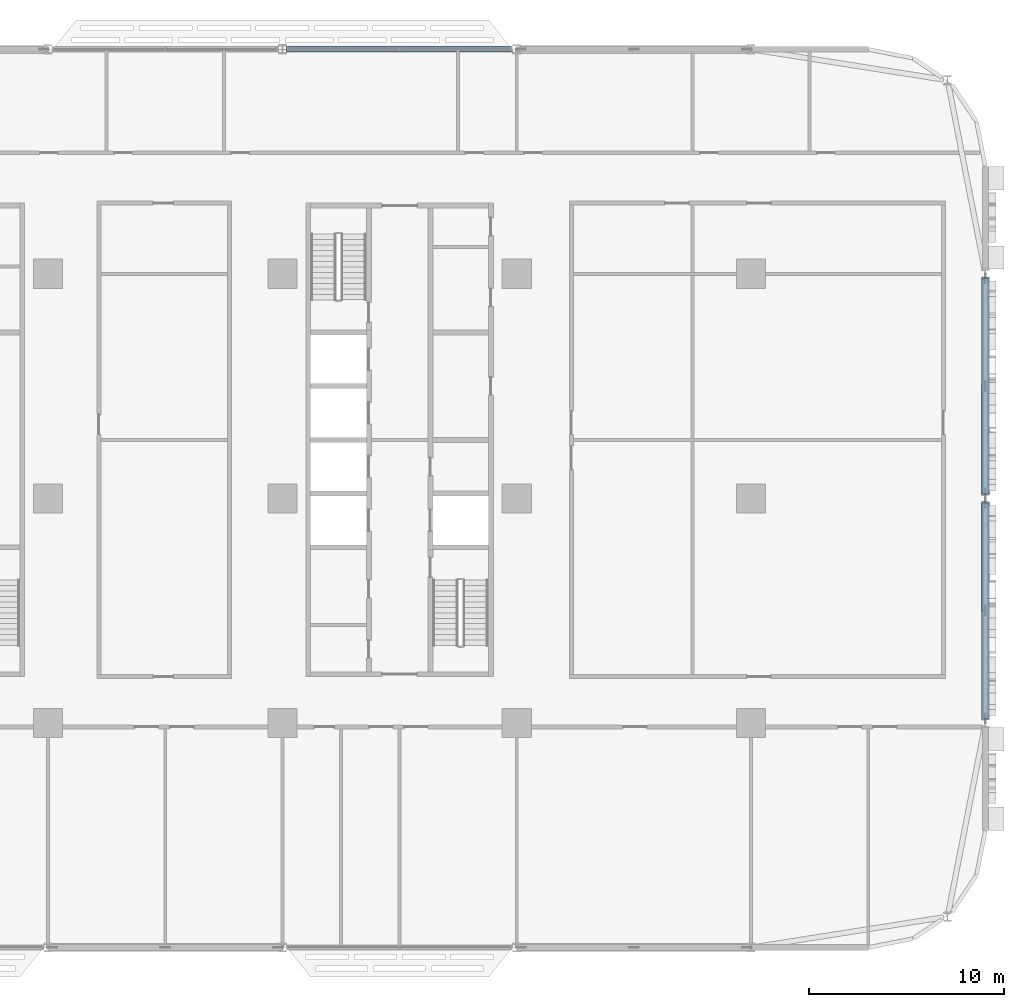
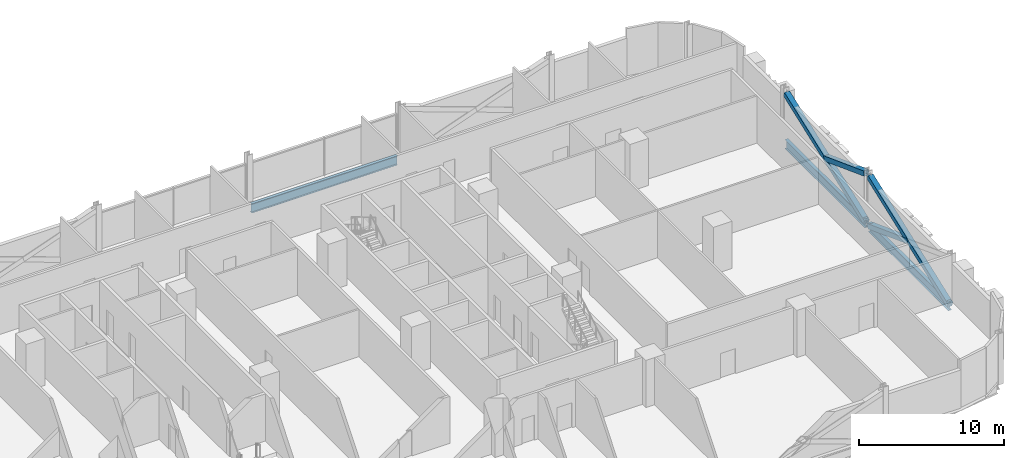
# One storey, part 9 of 30: 4 members, 3 beams.
"""IFC4 building model written with IfcOpenShell, lengths in metres."""

import ifcopenshell
import ifcopenshell.guid

model = None  # the IFC model being written
_history = None  # IfcOwnerHistory: only IFC2X3 demands one
_inside = {}  # id of a spatial element -> (the spatial element, [elements in it])
_under = {}  # id of a project, library or spatial element -> (it, [spatial elements below it])
_declared = {}  # id of a project -> (the project, [libraries it declares])
_typed = {}  # id of a type object -> (the type object, [elements of that type])
_made_of = {}  # id of a material, layer set ... -> (it, [elements and type objects made of it])


def new_model(schema):
    """Start an empty IFC model of exactly this schema.

    Asked for "IFC4X3", IfcOpenShell would pick the latest addendum, in which some entities
    have other attributes; the version numbers below select the first issue.
    IFC2X3 requires an IfcOwnerHistory on every rooted entity: one is made here for all.
    """
    global model, _history
    if schema == "IFC4X3":
        model = ifcopenshell.file(schema_version=(4, 3, 0, 0))
    else:
        model = ifcopenshell.file(schema=schema)
    _inside.clear()
    _under.clear()
    _declared.clear()
    _typed.clear()
    _made_of.clear()
    _history = None
    if model.schema == "IFC2X3":
        org = make("IfcOrganization", Name="unknown")
        user = make(
            "IfcPersonAndOrganization",
            ThePerson=make("IfcPerson", FamilyName="unknown"),
            TheOrganization=org,
        )
        app = make(
            "IfcApplication",
            ApplicationDeveloper=org,
            Version="unknown",
            ApplicationFullName="unknown",
            ApplicationIdentifier="unknown",
        )
        _history = make(
            "IfcOwnerHistory",
            OwningUser=user,
            OwningApplication=app,
            ChangeAction="ADDED",
            CreationDate=0,
        )
    return model


def make(cls, **values):
    """One entity of the class cls with the attributes given. An attribute that is None is left unset."""
    return model.create_entity(
        cls, **{name: value for name, value in values.items() if value is not None}
    )


def rooted(cls, **values):
    """An entity with a GlobalId (a new one), such as an element, a storey or a relation."""
    return make(cls, GlobalId=ifcopenshell.guid.new(), OwnerHistory=_history, **values)


def si_unit(unit_type, name, prefix=None):
    """IfcSIUnit, for example si_unit("LENGTHUNIT", "METRE", prefix="MILLI")."""
    return make("IfcSIUnit", UnitType=unit_type, Prefix=prefix, Name=name)


def assignment(units):
    """IfcUnitAssignment: the units of a project."""
    return None if units is None else make("IfcUnitAssignment", Units=units)


def point(xyz):
    """IfcCartesianPoint."""
    return None if xyz is None else make("IfcCartesianPoint", Coordinates=xyz)


def direction(xyz):
    """IfcDirection."""
    return None if xyz is None else make("IfcDirection", DirectionRatios=xyz)


def frame(location, z_axis=None, x_axis=None):
    """IfcAxis2Placement3D, a coordinate frame: its origin and axes. An axis left out is left unset."""
    return make(
        "IfcAxis2Placement3D",
        Location=point(location),
        Axis=direction(z_axis),
        RefDirection=direction(x_axis),
    )


def frame_2d(location, x_axis=None):
    """IfcAxis2Placement2D, a coordinate frame in the plane: its origin and x axis."""
    return make(
        "IfcAxis2Placement2D", Location=point(location), RefDirection=direction(x_axis)
    )


def origin():
    """The frame at (0, 0, 0) with its axes left unset."""
    return frame((0.0, 0.0, 0.0))


def origin_2d():
    """The frame at (0, 0) in the plane with its x axis left unset."""
    return frame_2d((0.0, 0.0))


def place(relative_to, where):
    """IfcLocalPlacement: puts the frame where relative to a parent placement (None: the world)."""
    return make(
        "IfcLocalPlacement", PlacementRelTo=relative_to, RelativePlacement=where
    )


def context(
    kind, dimensions, precision=None, world=None, true_north=None, identifier=None
):
    """IfcGeometricRepresentationContext, for example the 3D "Model" context."""
    return make(
        "IfcGeometricRepresentationContext",
        ContextIdentifier=identifier,
        ContextType=kind,
        CoordinateSpaceDimension=dimensions,
        Precision=precision,
        WorldCoordinateSystem=world,
        TrueNorth=true_north,
    )


def subcontext(parent, identifier, kind, view, scale=None):
    """IfcGeometricRepresentationSubContext, for example "Body" below "Model"."""
    return make(
        "IfcGeometricRepresentationSubContext",
        ContextIdentifier=identifier,
        ContextType=kind,
        ParentContext=parent,
        TargetScale=scale,
        TargetView=view,
    )


def project(units=None, contexts=None):
    """IfcProject with its units and contexts."""
    return rooted(
        "IfcProject",
        Name="project",
        RepresentationContexts=contexts,
        UnitsInContext=assignment(units),
    )


def spatial(cls, under=None, at=None, **own):
    """A site, building, storey or space (cls), placed at a placement, below another one or the project."""
    s = rooted(cls, ObjectPlacement=at, **own)
    if under is not None:
        _under.setdefault(under.id(), (under, []))[1].append(s)
    return s


def profile(cls, at=None, kind="AREA", **sizes):
    """A parametric profile (cls). Its sizes go by their IFC names, for example OverallWidth=200.0."""
    return make(cls, ProfileType=kind, Position=at, **sizes)


def hollow_rectangle(**sizes):
    """IfcRectangleHollowProfileDef."""
    return profile("IfcRectangleHollowProfileDef", **sizes)


def i_section(**sizes):
    """IfcIShapeProfileDef."""
    return profile("IfcIShapeProfileDef", **sizes)


def extrude(swept, where, along, depth):
    """IfcExtrudedAreaSolid: the profile swept, set in the frame where, extruded along a direction by depth."""
    return make(
        "IfcExtrudedAreaSolid",
        SweptArea=swept,
        Position=where,
        ExtrudedDirection=direction(along),
        Depth=depth,
    )


def shape(context_of_items, identifier, shape_type, items):
    """IfcShapeRepresentation: the items that make up one representation, for example the "Body"."""
    return make(
        "IfcShapeRepresentation",
        ContextOfItems=context_of_items,
        RepresentationIdentifier=identifier,
        RepresentationType=shape_type,
        Items=items,
    )


def material(Name=None, Category=None):
    """IfcMaterial."""
    return make("IfcMaterial", Name=Name, Category=Category)


def material_profile(
    of_material, cross_section, Name=None, Category=None, Priority=None
):
    """IfcMaterialProfile: a cross section and its material."""
    return make(
        "IfcMaterialProfile",
        Name=Name,
        Material=of_material,
        Profile=cross_section,
        Priority=Priority,
        Category=Category,
    )


def profile_set(profiles, Name=None, composite=None):
    """IfcMaterialProfileSet."""
    return make(
        "IfcMaterialProfileSet",
        Name=Name,
        MaterialProfiles=profiles,
        CompositeProfile=composite,
    )


def made_of(thing, what):
    """Note that an element or type object is made of a material, layer set ...; save() writes the relation."""
    if what is not None:
        _made_of.setdefault(what.id(), (what, []))[1].append(thing)
    return thing


def type_object(cls, material=None, **own):
    """A type object (cls), such as IfcWallType, which elements share."""
    return made_of(rooted(cls, **own), material)


def element(
    cls,
    number,
    at=None,
    inside=None,
    cuts=None,
    type_object=None,
    material=None,
    context=None,
    identifier="Body",
    shape_type=None,
    held_by="IfcProductDefinitionShape",
    body=None,
    shapes=None,
    **own,
):
    """One element of the class cls, such as IfcWall. Its Tag is "e" and its number.

    at: its placement. inside: the storey or other place that contains it. cuts: it is an
    opening in that element (IfcRelVoidsElement). A single representation is given by context,
    identifier, shape_type and body (its items); several are given by shapes. held_by: the class
    of the entity that holds the representations. save() writes the other relations.
    """
    e = rooted(cls, Tag="e%d" % number, ObjectPlacement=at, **own)
    if body is not None:
        shapes = [shape(context, identifier, shape_type, body)]
    if shapes is not None:
        e.Representation = make(held_by, Representations=shapes)
    if inside is not None:
        _inside.setdefault(inside.id(), (inside, []))[1].append(e)
    if cuts is not None:
        rooted(
            "IfcRelVoidsElement", RelatingBuildingElement=cuts, RelatedOpeningElement=e
        )
    if type_object is not None:
        _typed.setdefault(type_object.id(), (type_object, []))[1].append(e)
    return made_of(e, material)


def aggregate(whole, parts):
    """IfcRelAggregates: a whole, such as a stair, and the parts it consists of."""
    return rooted("IfcRelAggregates", RelatingObject=whole, RelatedObjects=parts)


def save(model, path):
    """Write the relations noted so far, then the file.

    IfcRelAggregates (storeys below a building ...), IfcRelContainedInSpatialStructure (elements
    in a storey), IfcRelDefinesByType, IfcRelAssociatesMaterial and IfcRelDeclares: one each for
    every whole, place, type object, material and project.
    """
    for whole, parts in _under.values():
        aggregate(whole, parts)
    for where, things in _inside.values():
        rooted(
            "IfcRelContainedInSpatialStructure",
            RelatedElements=things,
            RelatingStructure=where,
        )
    for kind, things in _typed.values():
        rooted("IfcRelDefinesByType", RelatedObjects=things, RelatingType=kind)
    for what, things in _made_of.values():
        rooted("IfcRelAssociatesMaterial", RelatedObjects=things, RelatingMaterial=what)
    for by, libraries in _declared.values():
        rooted("IfcRelDeclares", RelatingContext=by, RelatedDefinitions=libraries)
    model.write(path)


model = new_model("IFC4")

# Units and contexts
model_context = context("Model", 3, precision=1e-05, world=origin(), true_north=direction((0.0, 1.0)))
body_context = subcontext(model_context, "Body", "Model", "MODEL_VIEW")
ifc_project = project(units=[si_unit("LENGTHUNIT", "METRE"), si_unit("AREAUNIT", "SQUARE_METRE"), si_unit("VOLUMEUNIT", "CUBIC_METRE"), si_unit("PLANEANGLEUNIT", "RADIAN"), si_unit("MASSUNIT", "GRAM", prefix="KILO")], contexts=[model_context])

# Site, building, storey
site_placement = place(None, origin())
site = spatial("IfcSite", under=ifc_project, at=site_placement, CompositionType="ELEMENT")
building_placement = place(site_placement, origin())
building = spatial("IfcBuilding", under=site, at=building_placement, Name="Mahtab Terrace Research Tower", CompositionType="ELEMENT")
storey_placement = place(building_placement, frame((0.0, 0.0, 50.300048828125)))
storey = spatial("IfcBuildingStorey", under=building, at=storey_placement, Name="L11", CompositionType="ELEMENT", Elevation=50.300048828125)

# Members
ifc_material_1 = material(Name="Steel ASTM A500 Gr C", Category="steel")
ifc_material_profile_1 = material_profile(ifc_material_1, hollow_rectangle(XDim=0.406494140625, YDim=0.406494140625, WallThickness=0.01904296875, at=origin_2d()), Name="HSS16X16X3/4")
ifc_profile_set_1 = profile_set([ifc_material_profile_1], Name="Steel ASTM A500 Gr C")
member_type = type_object("IfcMemberType", Name="HSS 16x16x3/4 brace XB161634", PredefinedType="BRACE", material=ifc_profile_set_1)
member_1_placement = place(storey_placement, frame((54.0, -11.262451171875, -0.629638671875), z_axis=(0.0, 0.936664598222, 0.35022768371), x_axis=(-1.0, 0.0, 0.0)))
element("IfcMember", 1, at=member_1_placement, inside=storey, type_object=member_type, Name="Exoskeleton brace L11 22 a", PredefinedType="BRACE", context=body_context, shape_type="SweptSolid", body=[
    extrude(hollow_rectangle(XDim=0.406494140625, YDim=0.406494140625, WallThickness=0.01904296875, at=origin_2d()), origin(), (0.0, 0.0, 1.0), 11.770263671875),
])
member_2_placement = place(storey_placement, frame((54.0, -0.237548828125, -0.629638671875), z_axis=(0.0, -0.936671402403, 0.350209485765), x_axis=(1.0, 0.0, 0.0)))
element("IfcMember", 2, at=member_2_placement, inside=storey, type_object=member_type, Name="Exoskeleton brace L11 22 b1", PredefinedType="BRACE", context=body_context, shape_type="SweptSolid", body=[
    extrude(hollow_rectangle(XDim=0.406494140625, YDim=0.406494140625, WallThickness=0.01904296875, at=origin_2d()), origin(), (0.0, 0.0, 1.0), 5.88525390625),
])
member_3_placement = place(storey_placement, frame((54.0, 0.237548828125, -0.629638671875), z_axis=(0.0, 0.936664598222, 0.35022768371), x_axis=(-1.0, 0.0, 0.0)))
element("IfcMember", 3, at=member_3_placement, inside=storey, type_object=member_type, Name="Exoskeleton brace L11 23 a", PredefinedType="BRACE", context=body_context, shape_type="SweptSolid", body=[
    extrude(hollow_rectangle(XDim=0.406494140625, YDim=0.406494140625, WallThickness=0.01904296875, at=origin_2d()), origin(), (0.0, 0.0, 1.0), 11.770263671875),
])
member_4_placement = place(storey_placement, frame((54.0, 5.75, 1.431396484375), z_axis=(0.0, -0.936657793787, 0.350245881259), x_axis=(1.0, 0.0, 0.0)))
element("IfcMember", 4, at=member_4_placement, inside=storey, type_object=member_type, Name="Exoskeleton brace L11 23 b2", PredefinedType="BRACE", context=body_context, shape_type="SweptSolid", body=[
    extrude(hollow_rectangle(XDim=0.406494140625, YDim=0.406494140625, WallThickness=0.01904296875, at=origin_2d()), origin(), (0.0, 0.0, 1.0), 5.88525390625),
])

# Beams
ifc_material_2 = material(Name="Steel ASTM A992 Gr 50", Category="steel")
ifc_material_profile_2 = material_profile(ifc_material_2, i_section(OverallWidth=0.2666015625, OverallDepth=0.7568359375, WebThickness=0.013916015625, FlangeThickness=0.019287109375, at=origin_2d()), Name="W30X108")
ifc_profile_set_2 = profile_set([ifc_material_profile_2], Name="Steel ASTM A992 Gr 50")
beam_type = type_object("IfcBeamType", Name="W30x108 beam BS30108", PredefinedType="BEAM", material=ifc_profile_set_2)
beam_placement = place(storey_placement, frame((29.787841796875, 23.0, -0.718505859375), z_axis=(-1.0, 0.0, 0.0), x_axis=(0.0, -1.0, 0.0)))
element("IfcBeam", 5, at=beam_placement, inside=storey, type_object=beam_type, Name="Spandrel beam L11 03", PredefinedType="BEAM", context=body_context, shape_type="SweptSolid", body=[
    extrude(i_section(OverallWidth=0.2666015625, OverallDepth=0.7568359375, WebThickness=0.013916015625, FlangeThickness=0.019287109375, at=origin_2d()), origin(), (0.0, 0.0, 1.0), 11.57568359375),
])
for number, where, z_axis, x_axis, name in (
    (6, (54.0, -11.262451171875, -0.718505859375), (0.0, 1.0, 0.0), (-1.0, 0.0, 0.0), "Spandrel beam L11 22"),
    (7, (54.0, 0.237548828125, -0.718505859375), (0.0, 1.0, 0.0), (-1.0, 0.0, 0.0), "Spandrel beam L11 23"),
):
    element("IfcBeam", number, at=place(storey_placement, frame(where, z_axis=z_axis, x_axis=x_axis)), inside=storey, type_object=beam_type, Name=name, PredefinedType="BEAM", context=body_context, shape_type="SweptSolid", body=[
        extrude(i_section(OverallWidth=0.2666015625, OverallDepth=0.7568359375, WebThickness=0.013916015625, FlangeThickness=0.019287109375, at=origin_2d()), origin(), (0.0, 0.0, 1.0), 11.02490234375),
    ])

save(model, "model.ifc")
